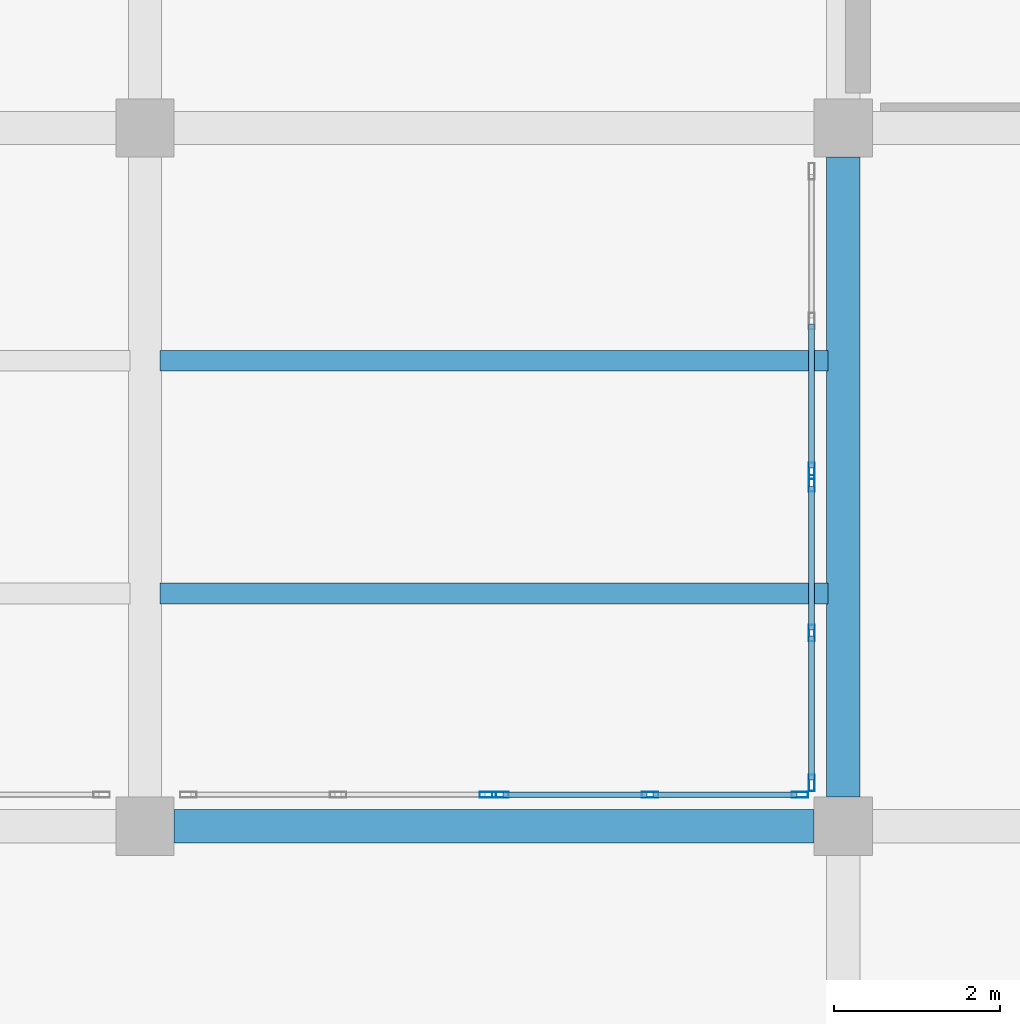
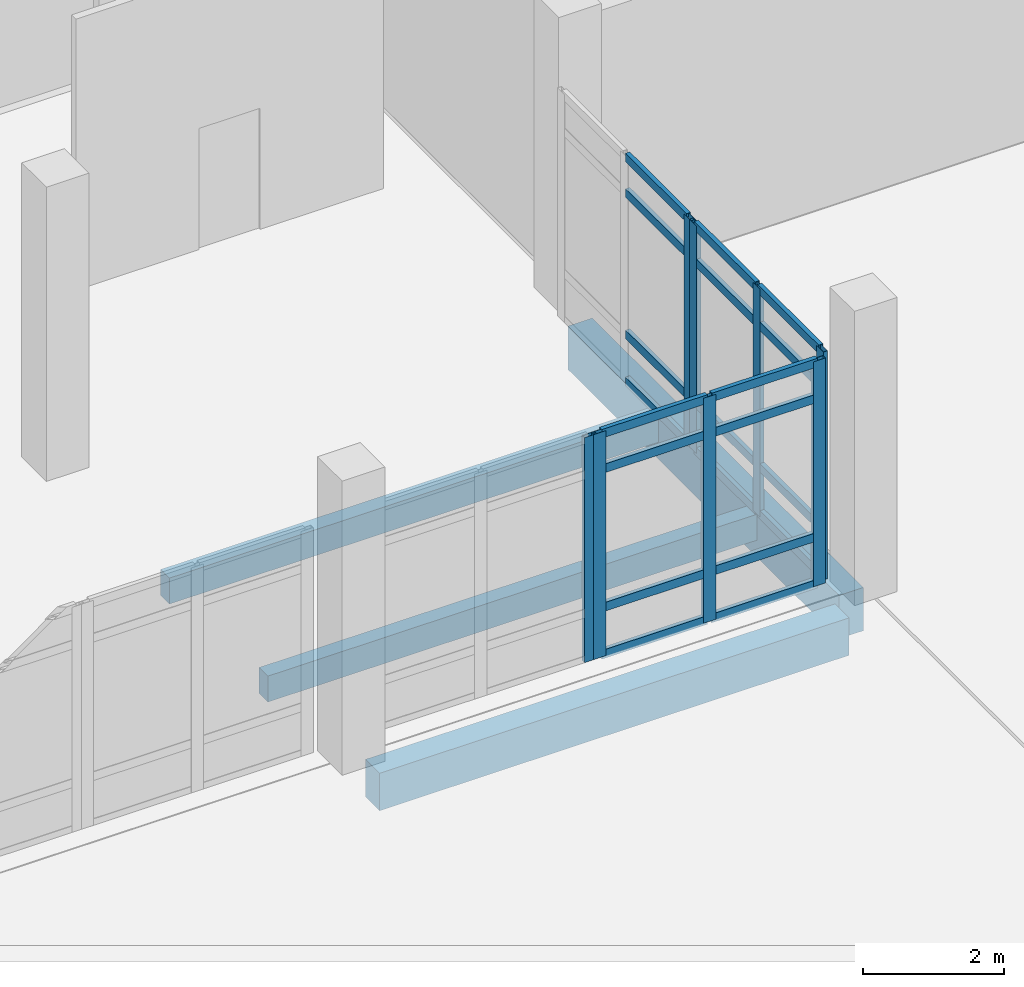
# One storey, part 10 of 64: 28 members, 4 beams, 4 elements without a shape of their own.
"""IFC4 building model written with IfcOpenShell, lengths in metres."""

from ifc_helpers import new_model, si_unit, derived_unit, direction, frame, origin, origin_2d, place, context, subcontext, project, spatial, rectangle, hollow_rectangle, extrude, material, layer, layer_set, material_profile, profile_set, type_object, element, aggregate, save


model = new_model("IFC4")

# Units and contexts
model_context = context("Model", 3, precision=1e-05, world=origin(), true_north=direction((0.0, 1.0)))
body_context = subcontext(model_context, "Body", "Model", "MODEL_VIEW")
ifc_project = project(units=[si_unit("LENGTHUNIT", "METRE"), si_unit("AREAUNIT", "SQUARE_METRE"), si_unit("VOLUMEUNIT", "CUBIC_METRE"), si_unit("PLANEANGLEUNIT", "RADIAN"), si_unit("MASSUNIT", "GRAM", prefix="KILO"), derived_unit("THERMALTRANSMITTANCEUNIT", [(si_unit("POWERUNIT", "WATT"), 1), (si_unit("LENGTHUNIT", "METRE"), -2), (si_unit("THERMODYNAMICTEMPERATUREUNIT", "KELVIN"), -1)])], contexts=[model_context])

# Site, building, storey
site_placement = place(None, origin())
site = spatial("IfcSite", under=ifc_project, at=site_placement, CompositionType="ELEMENT")
building_placement = place(site_placement, origin())
building = spatial("IfcBuilding", under=site, at=building_placement, Name="Elbkamm Science Centre", CompositionType="ELEMENT")
storey_placement = place(building_placement, origin())
storey = spatial("IfcBuildingStorey", under=building, at=storey_placement, Name="L00", CompositionType="ELEMENT", Elevation=0.0)

# Beams
ifc_material_1 = material(Name="Concrete C40/50", Category="concrete")
ifc_material_profile_1 = material_profile(ifc_material_1, rectangle(XDim=0.39990234375, YDim=0.64990234375, at=origin_2d()), Name="RC 400x650")
ifc_profile_set_1 = profile_set([ifc_material_profile_1], Name="Concrete C40/50")
beam_type_1 = type_object("IfcBeamType", Name="BM-RC-400x650", PredefinedType="BEAM", material=ifc_profile_set_1)
beam_1_placement = place(storey_placement, frame((117.949951171875, 42.0, -0.625), z_axis=(1.0, 0.0, 0.0), x_axis=(0.0, 1.0, 0.0)))
element("IfcBeam", 1, at=beam_1_placement, inside=storey, type_object=beam_type_1, Name="L00 Primary X-Girder 044", PredefinedType="BEAM", context=body_context, shape_type="SweptSolid", body=[
    extrude(rectangle(XDim=0.39990234375, YDim=0.64990234375, at=origin_2d()), origin(), (0.0, 0.0, 1.0), 7.699951171875),
])
ifc_material_profile_2 = material_profile(ifc_material_1, rectangle(XDim=0.39990234375, YDim=0.75, at=origin_2d()), Name="RC 400x750")
ifc_profile_set_2 = profile_set([ifc_material_profile_2], Name="Concrete C40/50")
beam_type_2 = type_object("IfcBeamType", Name="BM-RC-400x750", PredefinedType="BEAM", material=ifc_profile_set_2)
beam_2_placement = place(storey_placement, frame((126.0, 42.35009765625, -0.675048828125), z_axis=(0.0, 1.0, 0.0), x_axis=(-1.0, 0.0, 0.0)))
element("IfcBeam", 2, at=beam_2_placement, inside=storey, type_object=beam_type_2, Name="L00 Primary Y-Girder 048", PredefinedType="BEAM", context=body_context, shape_type="SweptSolid", body=[
    extrude(rectangle(XDim=0.39990234375, YDim=0.75, at=origin_2d()), origin(), (0.0, 0.0, 1.0), 7.699951171875),
])

# Curtain wall, member
ifc_material_2 = material(Name="Powder-coated aluminium and triple low-E glazing", Category="aluminium")
ifc_layer_1 = layer(ifc_material_2, 0.159912109375)
ifc_layer_set_1 = layer_set([ifc_layer_1], Name="Powder-coated aluminium and triple low-E glazing")
curtain_wall_type_1 = type_object("IfcCurtainWallType", Name="CW-UNIT-3680x3960", PredefinedType="USERDEFINED", material=ifc_layer_set_1)
curtain_wall_1_placement = place(storey_placement, origin())
curtain_wall_1 = element("IfcCurtainWall", 3, at=curtain_wall_1_placement, inside=storey, type_object=curtain_wall_type_1, Name="L00 Unitised Curtain Wall 136", ObjectType="UNITISED CURTAIN WALL", PredefinedType="USERDEFINED")
ifc_material_3 = material(Name="Powder-coated aluminium EN AW-6060", Category="aluminium")
ifc_material_profile_3 = material_profile(ifc_material_3, hollow_rectangle(XDim=0.070068359375, YDim=0.199951171875, WallThickness=0.00439453125, at=origin_2d()), Name="ALU M70x200")
ifc_profile_set_3 = profile_set([ifc_material_profile_3], Name="Powder-coated aluminium EN AW-6060")
member_type_1 = type_object("IfcMemberType", Name="CW-MUL-70x200", PredefinedType="MULLION", material=ifc_profile_set_3)
member_1_placement = place(storey_placement, frame((125.6201171875, 46.27490234375, 0.0), z_axis=(0.0, 0.0, 1.0), x_axis=(1.0, 0.0, 0.0)))
member_1 = element("IfcMember", 4, at=member_1_placement, type_object=member_type_1, Name="CW-064 mullion 3", PredefinedType="MULLION", context=body_context, shape_type="SweptSolid", body=[
    extrude(hollow_rectangle(XDim=0.070068359375, YDim=0.199951171875, WallThickness=0.00439453125, at=origin_2d()), origin(), (0.0, 0.0, 1.0), 3.949951171875),
])

# Curtain wall, members
curtain_wall_2_placement = place(storey_placement, origin())
curtain_wall_2 = element("IfcCurtainWall", 5, at=curtain_wall_2_placement, inside=storey, type_object=curtain_wall_type_1, Name="L00 Unitised Curtain Wall 137", ObjectType="UNITISED CURTAIN WALL", PredefinedType="USERDEFINED")
member_2_placement = place(storey_placement, frame((125.6201171875, 46.125, 0.0), z_axis=(0.0, 0.0, 1.0), x_axis=(1.0, 0.0, 0.0)))
member_2 = element("IfcMember", 6, at=member_2_placement, type_object=member_type_1, Name="CW-064 mullion 1", PredefinedType="MULLION", context=body_context, shape_type="SweptSolid", body=[
    extrude(hollow_rectangle(XDim=0.070068359375, YDim=0.199951171875, WallThickness=0.00439453125, at=origin_2d()), origin(), (0.0, 0.0, 1.0), 3.949951171875),
])
member_3_placement = place(storey_placement, frame((125.6201171875, 44.3232421875, 0.0), z_axis=(0.0, 0.0, 1.0), x_axis=(1.0, 0.0, 0.0)))
member_3 = element("IfcMember", 7, at=member_3_placement, type_object=member_type_1, Name="CW-064 mullion 2", PredefinedType="MULLION", context=body_context, shape_type="SweptSolid", body=[
    extrude(hollow_rectangle(XDim=0.070068359375, YDim=0.199951171875, WallThickness=0.00439453125, at=origin_2d()), origin(), (0.0, 0.0, 1.0), 3.949951171875),
])
member_4_placement = place(storey_placement, frame((125.6201171875, 42.521240234375, 0.0), z_axis=(0.0, 0.0, 1.0), x_axis=(1.0, 0.0, 0.0)))
member_4 = element("IfcMember", 8, at=member_4_placement, type_object=member_type_1, Name="CW-064 mullion 3", PredefinedType="MULLION", context=body_context, shape_type="SweptSolid", body=[
    extrude(hollow_rectangle(XDim=0.070068359375, YDim=0.199951171875, WallThickness=0.00439453125, at=origin_2d()), origin(), (0.0, 0.0, 1.0), 3.949951171875),
])

ifc_layer_2 = layer(ifc_material_2, 0.159912109375)
ifc_layer_set_2 = layer_set([ifc_layer_2], Name="Powder-coated aluminium and triple low-E glazing")
curtain_wall_type_2 = type_object("IfcCurtainWallType", Name="CW-UNIT-3680x3900", PredefinedType="USERDEFINED", material=ifc_layer_set_2)
curtain_wall_3_placement = place(storey_placement, origin())
curtain_wall_3 = element("IfcCurtainWall", 9, at=curtain_wall_3_placement, inside=storey, type_object=curtain_wall_type_2, Name="L00 Unitised Curtain Wall 138", ObjectType="UNITISED CURTAIN WALL", PredefinedType="USERDEFINED")
member_5_placement = place(storey_placement, frame((125.478759765625, 42.3798828125, 0.0), z_axis=(0.0, 0.0, 1.0), x_axis=(0.0, -1.0, 0.0)))
member_5 = element("IfcMember", 10, at=member_5_placement, type_object=member_type_1, Name="CW-066 mullion 1", PredefinedType="MULLION", context=body_context, shape_type="SweptSolid", body=[
    extrude(hollow_rectangle(XDim=0.070068359375, YDim=0.199951171875, WallThickness=0.00439453125, at=origin_2d()), origin(), (0.0, 0.0, 1.0), 3.89990234375),
])
member_6_placement = place(storey_placement, frame((123.6767578125, 42.3798828125, 0.0), z_axis=(0.0, 0.0, 1.0), x_axis=(0.0, -1.0, 0.0)))
member_6 = element("IfcMember", 11, at=member_6_placement, type_object=member_type_1, Name="CW-066 mullion 2", PredefinedType="MULLION", context=body_context, shape_type="SweptSolid", body=[
    extrude(hollow_rectangle(XDim=0.070068359375, YDim=0.199951171875, WallThickness=0.00439453125, at=origin_2d()), origin(), (0.0, 0.0, 1.0), 3.89990234375),
])
member_7_placement = place(storey_placement, frame((121.875, 42.3798828125, 0.0), z_axis=(0.0, 0.0, 1.0), x_axis=(0.0, -1.0, 0.0)))
member_7 = element("IfcMember", 12, at=member_7_placement, type_object=member_type_1, Name="CW-066 mullion 3", PredefinedType="MULLION", context=body_context, shape_type="SweptSolid", body=[
    extrude(hollow_rectangle(XDim=0.070068359375, YDim=0.199951171875, WallThickness=0.00439453125, at=origin_2d()), origin(), (0.0, 0.0, 1.0), 3.89990234375),
])

# Curtain wall, member
curtain_wall_4_placement = place(storey_placement, origin())
curtain_wall_4 = element("IfcCurtainWall", 13, at=curtain_wall_4_placement, inside=storey, type_object=curtain_wall_type_2, Name="L00 Unitised Curtain Wall 139", ObjectType="UNITISED CURTAIN WALL", PredefinedType="USERDEFINED")
member_8_placement = place(storey_placement, frame((121.72509765625, 42.3798828125, 0.0), z_axis=(0.0, 0.0, 1.0), x_axis=(0.0, -1.0, 0.0)))
member_8 = element("IfcMember", 14, at=member_8_placement, type_object=member_type_1, Name="CW-066 mullion 1", PredefinedType="MULLION", context=body_context, shape_type="SweptSolid", body=[
    extrude(hollow_rectangle(XDim=0.070068359375, YDim=0.199951171875, WallThickness=0.00439453125, at=origin_2d()), origin(), (0.0, 0.0, 1.0), 3.89990234375),
])
aggregate(curtain_wall_4, [member_8])

# Member
ifc_material_profile_4 = material_profile(ifc_material_3, hollow_rectangle(XDim=0.070068359375, YDim=0.14990234375, WallThickness=0.00390625, at=origin_2d()), Name="ALU T70x150")
ifc_profile_set_4 = profile_set([ifc_material_profile_4], Name="Powder-coated aluminium EN AW-6060")
member_type_2 = type_object("IfcMemberType", Name="CW-TRN-70x150", PredefinedType="USERDEFINED", material=ifc_profile_set_4)
member_9_placement = place(storey_placement, frame((125.6201171875, 48.041748046875, 0.034912109375), z_axis=(0.0, -1.0, 0.0), x_axis=(1.0, 0.0, 0.0)))
member_9 = element("IfcMember", 15, at=member_9_placement, type_object=member_type_2, Name="CW-064 transom 2.1", ObjectType="TRANSOM", PredefinedType="USERDEFINED", context=body_context, shape_type="SweptSolid", body=[
    extrude(hollow_rectangle(XDim=0.070068359375, YDim=0.14990234375, WallThickness=0.00390625, at=origin_2d()), origin(), (0.0, 0.0, 1.0), 1.731689453125),
])

member_10_placement = place(storey_placement, frame((125.6201171875, 48.041748046875, 0.85009765625), z_axis=(0.0, -1.0, 0.0), x_axis=(1.0, 0.0, 0.0)))
member_10 = element("IfcMember", 16, at=member_10_placement, type_object=member_type_2, Name="CW-064 transom 2.2", ObjectType="TRANSOM", PredefinedType="USERDEFINED", context=body_context, shape_type="SweptSolid", body=[
    extrude(hollow_rectangle(XDim=0.070068359375, YDim=0.14990234375, WallThickness=0.00390625, at=origin_2d()), origin(), (0.0, 0.0, 1.0), 1.731689453125),
])

member_11_placement = place(storey_placement, frame((125.6201171875, 48.041748046875, 3.300048828125), z_axis=(0.0, -1.0, 0.0), x_axis=(1.0, 0.0, 0.0)))
member_11 = element("IfcMember", 17, at=member_11_placement, type_object=member_type_2, Name="CW-064 transom 2.3", ObjectType="TRANSOM", PredefinedType="USERDEFINED", context=body_context, shape_type="SweptSolid", body=[
    extrude(hollow_rectangle(XDim=0.070068359375, YDim=0.14990234375, WallThickness=0.00390625, at=origin_2d()), origin(), (0.0, 0.0, 1.0), 1.731689453125),
])

member_12_placement = place(storey_placement, frame((125.6201171875, 48.041748046875, 3.9150390625), z_axis=(0.0, -1.0, 0.0), x_axis=(1.0, 0.0, 0.0)))
member_12 = element("IfcMember", 18, at=member_12_placement, type_object=member_type_2, Name="CW-064 transom 2.4", ObjectType="TRANSOM", PredefinedType="USERDEFINED", context=body_context, shape_type="SweptSolid", body=[
    extrude(hollow_rectangle(XDim=0.070068359375, YDim=0.14990234375, WallThickness=0.00390625, at=origin_2d()), origin(), (0.0, 0.0, 1.0), 1.731689453125),
])

aggregate(curtain_wall_1, [member_1, member_9, member_10, member_11, member_12])

member_13_placement = place(storey_placement, frame((125.6201171875, 46.090087890625, 0.034912109375), z_axis=(0.0, -1.0, 0.0), x_axis=(1.0, 0.0, 0.0)))
member_13 = element("IfcMember", 19, at=member_13_placement, type_object=member_type_2, Name="CW-064 transom 1.1", ObjectType="TRANSOM", PredefinedType="USERDEFINED", context=body_context, shape_type="SweptSolid", body=[
    extrude(hollow_rectangle(XDim=0.070068359375, YDim=0.14990234375, WallThickness=0.00390625, at=origin_2d()), origin(), (0.0, 0.0, 1.0), 1.73193359375),
])

member_14_placement = place(storey_placement, frame((125.6201171875, 46.090087890625, 0.85009765625), z_axis=(0.0, -1.0, 0.0), x_axis=(1.0, 0.0, 0.0)))
member_14 = element("IfcMember", 20, at=member_14_placement, type_object=member_type_2, Name="CW-064 transom 1.2", ObjectType="TRANSOM", PredefinedType="USERDEFINED", context=body_context, shape_type="SweptSolid", body=[
    extrude(hollow_rectangle(XDim=0.070068359375, YDim=0.14990234375, WallThickness=0.00390625, at=origin_2d()), origin(), (0.0, 0.0, 1.0), 1.73193359375),
])

member_15_placement = place(storey_placement, frame((125.6201171875, 46.090087890625, 3.300048828125), z_axis=(0.0, -1.0, 0.0), x_axis=(1.0, 0.0, 0.0)))
member_15 = element("IfcMember", 21, at=member_15_placement, type_object=member_type_2, Name="CW-064 transom 1.3", ObjectType="TRANSOM", PredefinedType="USERDEFINED", context=body_context, shape_type="SweptSolid", body=[
    extrude(hollow_rectangle(XDim=0.070068359375, YDim=0.14990234375, WallThickness=0.00390625, at=origin_2d()), origin(), (0.0, 0.0, 1.0), 1.73193359375),
])

member_16_placement = place(storey_placement, frame((125.6201171875, 46.090087890625, 3.9150390625), z_axis=(0.0, -1.0, 0.0), x_axis=(1.0, 0.0, 0.0)))
member_16 = element("IfcMember", 22, at=member_16_placement, type_object=member_type_2, Name="CW-064 transom 1.4", ObjectType="TRANSOM", PredefinedType="USERDEFINED", context=body_context, shape_type="SweptSolid", body=[
    extrude(hollow_rectangle(XDim=0.070068359375, YDim=0.14990234375, WallThickness=0.00390625, at=origin_2d()), origin(), (0.0, 0.0, 1.0), 1.73193359375),
])

member_17_placement = place(storey_placement, frame((125.6201171875, 44.2880859375, 0.034912109375), z_axis=(0.0, -1.0, 0.0), x_axis=(1.0, 0.0, 0.0)))
member_17 = element("IfcMember", 23, at=member_17_placement, type_object=member_type_2, Name="CW-064 transom 2.1", ObjectType="TRANSOM", PredefinedType="USERDEFINED", context=body_context, shape_type="SweptSolid", body=[
    extrude(hollow_rectangle(XDim=0.070068359375, YDim=0.14990234375, WallThickness=0.00390625, at=origin_2d()), origin(), (0.0, 0.0, 1.0), 1.731689453125),
])

member_18_placement = place(storey_placement, frame((125.6201171875, 44.2880859375, 0.85009765625), z_axis=(0.0, -1.0, 0.0), x_axis=(1.0, 0.0, 0.0)))
member_18 = element("IfcMember", 24, at=member_18_placement, type_object=member_type_2, Name="CW-064 transom 2.2", ObjectType="TRANSOM", PredefinedType="USERDEFINED", context=body_context, shape_type="SweptSolid", body=[
    extrude(hollow_rectangle(XDim=0.070068359375, YDim=0.14990234375, WallThickness=0.00390625, at=origin_2d()), origin(), (0.0, 0.0, 1.0), 1.731689453125),
])

member_19_placement = place(storey_placement, frame((125.6201171875, 44.2880859375, 3.300048828125), z_axis=(0.0, -1.0, 0.0), x_axis=(1.0, 0.0, 0.0)))
member_19 = element("IfcMember", 25, at=member_19_placement, type_object=member_type_2, Name="CW-064 transom 2.3", ObjectType="TRANSOM", PredefinedType="USERDEFINED", context=body_context, shape_type="SweptSolid", body=[
    extrude(hollow_rectangle(XDim=0.070068359375, YDim=0.14990234375, WallThickness=0.00390625, at=origin_2d()), origin(), (0.0, 0.0, 1.0), 1.731689453125),
])

member_20_placement = place(storey_placement, frame((125.6201171875, 44.2880859375, 3.9150390625), z_axis=(0.0, -1.0, 0.0), x_axis=(1.0, 0.0, 0.0)))
member_20 = element("IfcMember", 26, at=member_20_placement, type_object=member_type_2, Name="CW-064 transom 2.4", ObjectType="TRANSOM", PredefinedType="USERDEFINED", context=body_context, shape_type="SweptSolid", body=[
    extrude(hollow_rectangle(XDim=0.070068359375, YDim=0.14990234375, WallThickness=0.00390625, at=origin_2d()), origin(), (0.0, 0.0, 1.0), 1.731689453125),
])

aggregate(curtain_wall_2, [member_2, member_3, member_4, member_13, member_14, member_15, member_16, member_17, member_18, member_19, member_20])

member_21_placement = place(storey_placement, frame((125.443603515625, 42.3798828125, 0.034912109375), z_axis=(-1.0, 0.0, 0.0), x_axis=(0.0, -1.0, 0.0)))
member_21 = element("IfcMember", 27, at=member_21_placement, type_object=member_type_2, Name="CW-066 transom 1.1", ObjectType="TRANSOM", PredefinedType="USERDEFINED", context=body_context, shape_type="SweptSolid", body=[
    extrude(hollow_rectangle(XDim=0.070068359375, YDim=0.14990234375, WallThickness=0.00390625, at=origin_2d()), origin(), (0.0, 0.0, 1.0), 1.731689453125),
])

member_22_placement = place(storey_placement, frame((125.443603515625, 42.3798828125, 0.85009765625), z_axis=(-1.0, 0.0, 0.0), x_axis=(0.0, -1.0, 0.0)))
member_22 = element("IfcMember", 28, at=member_22_placement, type_object=member_type_2, Name="CW-066 transom 1.2", ObjectType="TRANSOM", PredefinedType="USERDEFINED", context=body_context, shape_type="SweptSolid", body=[
    extrude(hollow_rectangle(XDim=0.070068359375, YDim=0.14990234375, WallThickness=0.00390625, at=origin_2d()), origin(), (0.0, 0.0, 1.0), 1.731689453125),
])

member_23_placement = place(storey_placement, frame((125.443603515625, 42.3798828125, 3.25), z_axis=(-1.0, 0.0, 0.0), x_axis=(0.0, -1.0, 0.0)))
member_23 = element("IfcMember", 29, at=member_23_placement, type_object=member_type_2, Name="CW-066 transom 1.3", ObjectType="TRANSOM", PredefinedType="USERDEFINED", context=body_context, shape_type="SweptSolid", body=[
    extrude(hollow_rectangle(XDim=0.070068359375, YDim=0.14990234375, WallThickness=0.00390625, at=origin_2d()), origin(), (0.0, 0.0, 1.0), 1.731689453125),
])

member_24_placement = place(storey_placement, frame((125.443603515625, 42.3798828125, 3.864990234375), z_axis=(-1.0, 0.0, 0.0), x_axis=(0.0, -1.0, 0.0)))
member_24 = element("IfcMember", 30, at=member_24_placement, type_object=member_type_2, Name="CW-066 transom 1.4", ObjectType="TRANSOM", PredefinedType="USERDEFINED", context=body_context, shape_type="SweptSolid", body=[
    extrude(hollow_rectangle(XDim=0.070068359375, YDim=0.14990234375, WallThickness=0.00390625, at=origin_2d()), origin(), (0.0, 0.0, 1.0), 1.731689453125),
])

member_25_placement = place(storey_placement, frame((123.641845703125, 42.3798828125, 0.034912109375), z_axis=(-1.0, 0.0, 0.0), x_axis=(0.0, -1.0, 0.0)))
member_25 = element("IfcMember", 31, at=member_25_placement, type_object=member_type_2, Name="CW-066 transom 2.1", ObjectType="TRANSOM", PredefinedType="USERDEFINED", context=body_context, shape_type="SweptSolid", body=[
    extrude(hollow_rectangle(XDim=0.070068359375, YDim=0.14990234375, WallThickness=0.00390625, at=origin_2d()), origin(), (0.0, 0.0, 1.0), 1.73193359375),
])

member_26_placement = place(storey_placement, frame((123.641845703125, 42.3798828125, 0.85009765625), z_axis=(-1.0, 0.0, 0.0), x_axis=(0.0, -1.0, 0.0)))
member_26 = element("IfcMember", 32, at=member_26_placement, type_object=member_type_2, Name="CW-066 transom 2.2", ObjectType="TRANSOM", PredefinedType="USERDEFINED", context=body_context, shape_type="SweptSolid", body=[
    extrude(hollow_rectangle(XDim=0.070068359375, YDim=0.14990234375, WallThickness=0.00390625, at=origin_2d()), origin(), (0.0, 0.0, 1.0), 1.73193359375),
])

member_27_placement = place(storey_placement, frame((123.641845703125, 42.3798828125, 3.25), z_axis=(-1.0, 0.0, 0.0), x_axis=(0.0, -1.0, 0.0)))
member_27 = element("IfcMember", 33, at=member_27_placement, type_object=member_type_2, Name="CW-066 transom 2.3", ObjectType="TRANSOM", PredefinedType="USERDEFINED", context=body_context, shape_type="SweptSolid", body=[
    extrude(hollow_rectangle(XDim=0.070068359375, YDim=0.14990234375, WallThickness=0.00390625, at=origin_2d()), origin(), (0.0, 0.0, 1.0), 1.73193359375),
])

member_28_placement = place(storey_placement, frame((123.641845703125, 42.3798828125, 3.864990234375), z_axis=(-1.0, 0.0, 0.0), x_axis=(0.0, -1.0, 0.0)))
member_28 = element("IfcMember", 34, at=member_28_placement, type_object=member_type_2, Name="CW-066 transom 2.4", ObjectType="TRANSOM", PredefinedType="USERDEFINED", context=body_context, shape_type="SweptSolid", body=[
    extrude(hollow_rectangle(XDim=0.070068359375, YDim=0.14990234375, WallThickness=0.00390625, at=origin_2d()), origin(), (0.0, 0.0, 1.0), 1.73193359375),
])

aggregate(curtain_wall_3, [member_5, member_6, member_7, member_21, member_22, member_23, member_24, member_25, member_26, member_27, member_28])

# Beams
ifc_material_profile_5 = material_profile(ifc_material_1, rectangle(XDim=0.25, YDim=0.449951171875, at=origin_2d()), Name="RC 250x450")
ifc_profile_set_5 = profile_set([ifc_material_profile_5], Name="Concrete C40/50")
beam_type_3 = type_object("IfcBeamType", Name="JST-RC-250x450", PredefinedType="JOIST", material=ifc_profile_set_5)
for number, where, z_axis, x_axis, name in (
    (35, (117.780029296875, 44.800048828125, -0.52490234375), (1.0, 0.0, 0.0), (0.0, 1.0, 0.0), "L00 Secondary Floor Joist 033"),
    (36, (117.780029296875, 47.60009765625, -0.52490234375), (1.0, 0.0, 0.0), (0.0, 1.0, 0.0), "L00 Secondary Floor Joist 034"),
):
    element("IfcBeam", number, at=place(storey_placement, frame(where, z_axis=z_axis, x_axis=x_axis)), inside=storey, type_object=beam_type_3, Name=name, PredefinedType="JOIST", context=body_context, shape_type="SweptSolid", body=[
        extrude(rectangle(XDim=0.25, YDim=0.449951171875, at=origin_2d()), origin(), (0.0, 0.0, 1.0), 8.0400390625),
    ])

save(model, "model.ifc")
